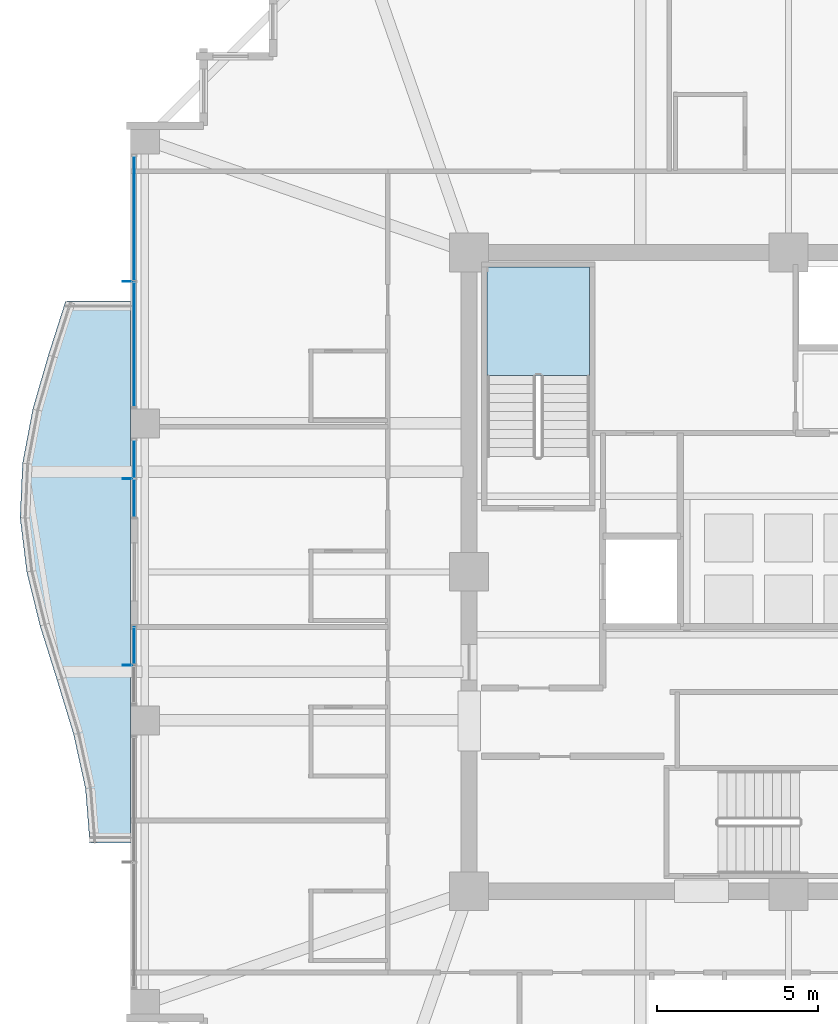
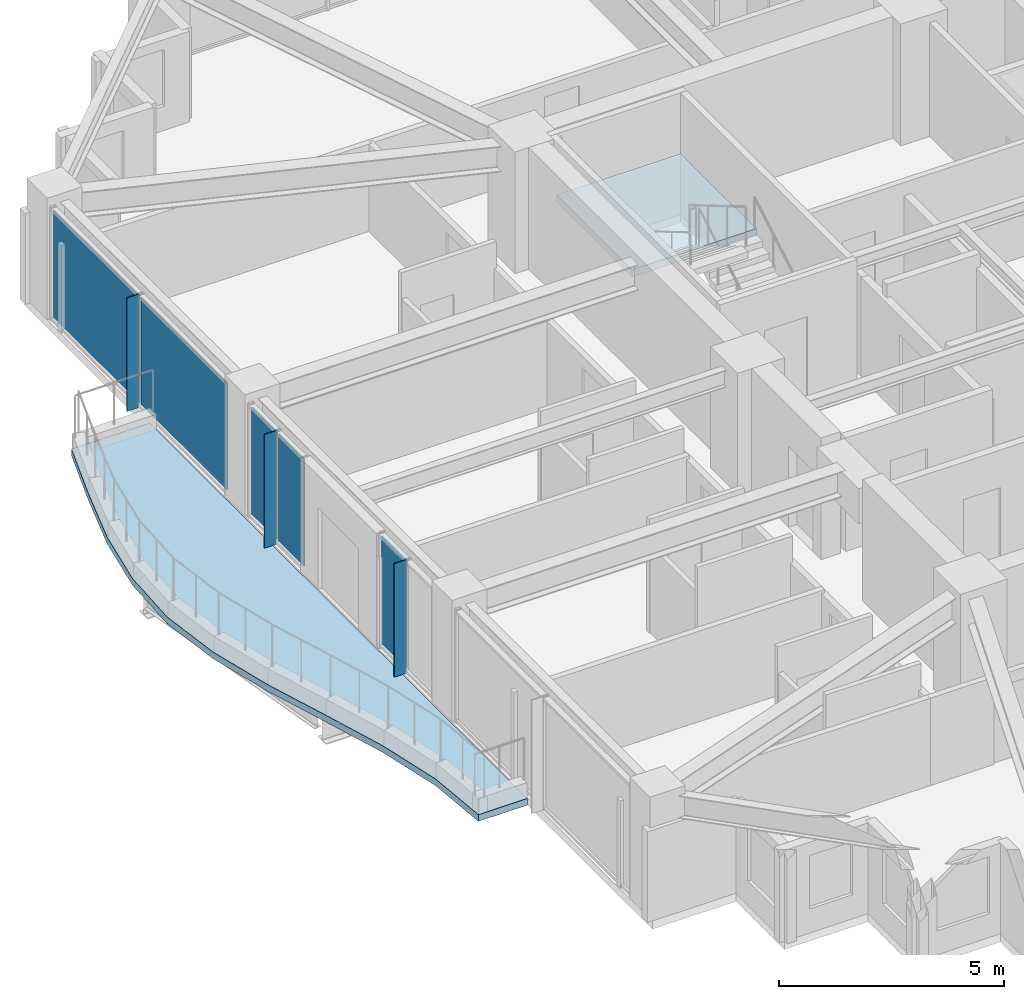
# One storey, part 23 of 34: 8 plates, 2 slabs, 4 elements without a shape of their own.
"""IFC4 building model written with IfcOpenShell, lengths in metres."""

import ifcopenshell
import ifcopenshell.guid

model = None  # the IFC model being written
_history = None  # IfcOwnerHistory: only IFC2X3 demands one
_inside = {}  # id of a spatial element -> (the spatial element, [elements in it])
_under = {}  # id of a project, library or spatial element -> (it, [spatial elements below it])
_declared = {}  # id of a project -> (the project, [libraries it declares])
_typed = {}  # id of a type object -> (the type object, [elements of that type])
_made_of = {}  # id of a material, layer set ... -> (it, [elements and type objects made of it])


def new_model(schema):
    """Start an empty IFC model of exactly this schema.

    Asked for "IFC4X3", IfcOpenShell would pick the latest addendum, in which some entities
    have other attributes; the version numbers below select the first issue.
    IFC2X3 requires an IfcOwnerHistory on every rooted entity: one is made here for all.
    """
    global model, _history
    if schema == "IFC4X3":
        model = ifcopenshell.file(schema_version=(4, 3, 0, 0))
    else:
        model = ifcopenshell.file(schema=schema)
    _inside.clear()
    _under.clear()
    _declared.clear()
    _typed.clear()
    _made_of.clear()
    _history = None
    if model.schema == "IFC2X3":
        org = make("IfcOrganization", Name="unknown")
        user = make(
            "IfcPersonAndOrganization",
            ThePerson=make("IfcPerson", FamilyName="unknown"),
            TheOrganization=org,
        )
        app = make(
            "IfcApplication",
            ApplicationDeveloper=org,
            Version="unknown",
            ApplicationFullName="unknown",
            ApplicationIdentifier="unknown",
        )
        _history = make(
            "IfcOwnerHistory",
            OwningUser=user,
            OwningApplication=app,
            ChangeAction="ADDED",
            CreationDate=0,
        )
    return model


def make(cls, **values):
    """One entity of the class cls with the attributes given. An attribute that is None is left unset."""
    return model.create_entity(
        cls, **{name: value for name, value in values.items() if value is not None}
    )


def rooted(cls, **values):
    """An entity with a GlobalId (a new one), such as an element, a storey or a relation."""
    return make(cls, GlobalId=ifcopenshell.guid.new(), OwnerHistory=_history, **values)


def si_unit(unit_type, name, prefix=None):
    """IfcSIUnit, for example si_unit("LENGTHUNIT", "METRE", prefix="MILLI")."""
    return make("IfcSIUnit", UnitType=unit_type, Prefix=prefix, Name=name)


def assignment(units):
    """IfcUnitAssignment: the units of a project."""
    return None if units is None else make("IfcUnitAssignment", Units=units)


def point(xyz):
    """IfcCartesianPoint."""
    return None if xyz is None else make("IfcCartesianPoint", Coordinates=xyz)


def direction(xyz):
    """IfcDirection."""
    return None if xyz is None else make("IfcDirection", DirectionRatios=xyz)


def frame(location, z_axis=None, x_axis=None):
    """IfcAxis2Placement3D, a coordinate frame: its origin and axes. An axis left out is left unset."""
    return make(
        "IfcAxis2Placement3D",
        Location=point(location),
        Axis=direction(z_axis),
        RefDirection=direction(x_axis),
    )


def frame_2d(location, x_axis=None):
    """IfcAxis2Placement2D, a coordinate frame in the plane: its origin and x axis."""
    return make(
        "IfcAxis2Placement2D", Location=point(location), RefDirection=direction(x_axis)
    )


def origin():
    """The frame at (0, 0, 0) with its axes left unset."""
    return frame((0.0, 0.0, 0.0))


def origin_2d():
    """The frame at (0, 0) in the plane with its x axis left unset."""
    return frame_2d((0.0, 0.0))


def place(relative_to, where):
    """IfcLocalPlacement: puts the frame where relative to a parent placement (None: the world)."""
    return make(
        "IfcLocalPlacement", PlacementRelTo=relative_to, RelativePlacement=where
    )


def context(
    kind, dimensions, precision=None, world=None, true_north=None, identifier=None
):
    """IfcGeometricRepresentationContext, for example the 3D "Model" context."""
    return make(
        "IfcGeometricRepresentationContext",
        ContextIdentifier=identifier,
        ContextType=kind,
        CoordinateSpaceDimension=dimensions,
        Precision=precision,
        WorldCoordinateSystem=world,
        TrueNorth=true_north,
    )


def subcontext(parent, identifier, kind, view, scale=None):
    """IfcGeometricRepresentationSubContext, for example "Body" below "Model"."""
    return make(
        "IfcGeometricRepresentationSubContext",
        ContextIdentifier=identifier,
        ContextType=kind,
        ParentContext=parent,
        TargetScale=scale,
        TargetView=view,
    )


def project(units=None, contexts=None):
    """IfcProject with its units and contexts."""
    return rooted(
        "IfcProject",
        Name="project",
        RepresentationContexts=contexts,
        UnitsInContext=assignment(units),
    )


def spatial(cls, under=None, at=None, **own):
    """A site, building, storey or space (cls), placed at a placement, below another one or the project."""
    s = rooted(cls, ObjectPlacement=at, **own)
    if under is not None:
        _under.setdefault(under.id(), (under, []))[1].append(s)
    return s


def polyline(points):
    """IfcPolyline through the points."""
    return make("IfcPolyline", Points=[point(p) for p in points])


def profile(cls, at=None, kind="AREA", **sizes):
    """A parametric profile (cls). Its sizes go by their IFC names, for example OverallWidth=200.0."""
    return make(cls, ProfileType=kind, Position=at, **sizes)


def rectangle(**sizes):
    """IfcRectangleProfileDef."""
    return profile("IfcRectangleProfileDef", **sizes)


def outline(outer, holes=None, kind="AREA"):
    """IfcArbitraryClosedProfileDef: a profile drawn as a closed curve; with holes, ...WithVoids."""
    if holes is None:
        return make("IfcArbitraryClosedProfileDef", ProfileType=kind, OuterCurve=outer)
    return make(
        "IfcArbitraryProfileDefWithVoids",
        ProfileType=kind,
        OuterCurve=outer,
        InnerCurves=holes,
    )


def extrude(swept, where, along, depth):
    """IfcExtrudedAreaSolid: the profile swept, set in the frame where, extruded along a direction by depth."""
    return make(
        "IfcExtrudedAreaSolid",
        SweptArea=swept,
        Position=where,
        ExtrudedDirection=direction(along),
        Depth=depth,
    )


def shape(context_of_items, identifier, shape_type, items):
    """IfcShapeRepresentation: the items that make up one representation, for example the "Body"."""
    return make(
        "IfcShapeRepresentation",
        ContextOfItems=context_of_items,
        RepresentationIdentifier=identifier,
        RepresentationType=shape_type,
        Items=items,
    )


def material(Name=None, Category=None):
    """IfcMaterial."""
    return make("IfcMaterial", Name=Name, Category=Category)


def layer(
    of_material, thickness, ventilated=None, Name=None, Category=None, Priority=None
):
    """IfcMaterialLayer: one layer of a wall or slab, of a material (None: an air gap)."""
    return make(
        "IfcMaterialLayer",
        Material=of_material,
        LayerThickness=thickness,
        IsVentilated=ventilated,
        Name=Name,
        Category=Category,
        Priority=Priority,
    )


def layer_set(layers, Name=None):
    """IfcMaterialLayerSet."""
    return make("IfcMaterialLayerSet", MaterialLayers=layers, LayerSetName=Name)


def made_of(thing, what):
    """Note that an element or type object is made of a material, layer set ...; save() writes the relation."""
    if what is not None:
        _made_of.setdefault(what.id(), (what, []))[1].append(thing)
    return thing


def type_object(cls, material=None, **own):
    """A type object (cls), such as IfcWallType, which elements share."""
    return made_of(rooted(cls, **own), material)


def element(
    cls,
    number,
    at=None,
    inside=None,
    cuts=None,
    type_object=None,
    material=None,
    context=None,
    identifier="Body",
    shape_type=None,
    held_by="IfcProductDefinitionShape",
    body=None,
    shapes=None,
    **own,
):
    """One element of the class cls, such as IfcWall. Its Tag is "e" and its number.

    at: its placement. inside: the storey or other place that contains it. cuts: it is an
    opening in that element (IfcRelVoidsElement). A single representation is given by context,
    identifier, shape_type and body (its items); several are given by shapes. held_by: the class
    of the entity that holds the representations. save() writes the other relations.
    """
    e = rooted(cls, Tag="e%d" % number, ObjectPlacement=at, **own)
    if body is not None:
        shapes = [shape(context, identifier, shape_type, body)]
    if shapes is not None:
        e.Representation = make(held_by, Representations=shapes)
    if inside is not None:
        _inside.setdefault(inside.id(), (inside, []))[1].append(e)
    if cuts is not None:
        rooted(
            "IfcRelVoidsElement", RelatingBuildingElement=cuts, RelatedOpeningElement=e
        )
    if type_object is not None:
        _typed.setdefault(type_object.id(), (type_object, []))[1].append(e)
    return made_of(e, material)


def aggregate(whole, parts):
    """IfcRelAggregates: a whole, such as a stair, and the parts it consists of."""
    return rooted("IfcRelAggregates", RelatingObject=whole, RelatedObjects=parts)


def save(model, path):
    """Write the relations noted so far, then the file.

    IfcRelAggregates (storeys below a building ...), IfcRelContainedInSpatialStructure (elements
    in a storey), IfcRelDefinesByType, IfcRelAssociatesMaterial and IfcRelDeclares: one each for
    every whole, place, type object, material and project.
    """
    for whole, parts in _under.values():
        aggregate(whole, parts)
    for where, things in _inside.values():
        rooted(
            "IfcRelContainedInSpatialStructure",
            RelatedElements=things,
            RelatingStructure=where,
        )
    for kind, things in _typed.values():
        rooted("IfcRelDefinesByType", RelatedObjects=things, RelatingType=kind)
    for what, things in _made_of.values():
        rooted("IfcRelAssociatesMaterial", RelatedObjects=things, RelatingMaterial=what)
    for by, libraries in _declared.values():
        rooted("IfcRelDeclares", RelatingContext=by, RelatedDefinitions=libraries)
    model.write(path)


model = new_model("IFC4")

# Units and contexts
model_context = context("Model", 3, precision=1e-05, world=origin(), true_north=direction((0.0, 1.0)))
body_context = subcontext(model_context, "Body", "Model", "MODEL_VIEW")
ifc_project = project(units=[si_unit("LENGTHUNIT", "METRE"), si_unit("AREAUNIT", "SQUARE_METRE"), si_unit("VOLUMEUNIT", "CUBIC_METRE"), si_unit("PLANEANGLEUNIT", "RADIAN"), si_unit("MASSUNIT", "GRAM", prefix="KILO")], contexts=[model_context])

# Site, building, storey
site_placement = place(None, origin())
site = spatial("IfcSite", under=ifc_project, at=site_placement, CompositionType="ELEMENT")
building_placement = place(site_placement, origin())
building = spatial("IfcBuilding", under=site, at=building_placement, Name="Kolvaren Belvedere", CompositionType="ELEMENT")
storey_placement = place(building_placement, frame((0.0, 0.0, 189.89990234375)))
storey = spatial("IfcBuildingStorey", under=building, at=storey_placement, Name="L55", CompositionType="ELEMENT", Elevation=189.89990234375)

# Curtain wall, plate
ifc_material_1 = material(Name="Anodised pale-metal aluminium AA 6063-T6", Category="aluminium")
curtain_wall_type = type_object("IfcCurtainWallType", Name="CW-Z5-HIGH", PredefinedType="NOTDEFINED", material=ifc_material_1)
curtain_wall_1_placement = place(storey_placement, origin())
curtain_wall_1 = element("IfcCurtainWall", 1, at=curtain_wall_1_placement, inside=storey, type_object=curtain_wall_type, Name="L55 Unitised Curtain Wall FCW-L55-W1-B2", PredefinedType="NOTDEFINED")
ifc_material_2 = material(Name="Low-iron triple insulated glass", Category="glass")
ifc_layer_1 = layer(ifc_material_2, 0.028076171875)
ifc_layer_set_1 = layer_set([ifc_layer_1], Name="Low-iron triple insulated glass")
plate_type_1 = type_object("IfcPlateType", Name="CW-PNL-VIS28", PredefinedType="CURTAIN_PANEL", material=ifc_layer_set_1)
plate_1_placement = place(storey_placement, frame((-20.280029296875, -2.28369140625, 0.080078125), z_axis=(0.0, 0.0, 1.0), x_axis=(0.0, 1.0, 0.0)))
plate_1 = element("IfcPlate", 2, at=plate_1_placement, type_object=plate_type_1, Name="FCW-L55-W1-B2 Vision Glazing Panel 2", PredefinedType="CURTAIN_PANEL", context=body_context, shape_type="SweptSolid", body=[
    extrude(rectangle(XDim=1.12744140625, YDim=0.028076171875, at=origin_2d()), origin(), (0.0, 0.0, 1.0), 2.919921875),
])
aggregate(curtain_wall_1, [plate_1])

# Curtain wall, plates
curtain_wall_2_placement = place(storey_placement, origin())
curtain_wall_2 = element("IfcCurtainWall", 3, at=curtain_wall_2_placement, inside=storey, type_object=curtain_wall_type, Name="L55 Unitised Curtain Wall FCW-L55-W2-B1", PredefinedType="NOTDEFINED")
plate_2_placement = place(storey_placement, frame((-20.280029296875, 2.28369140625, 0.080078125), z_axis=(0.0, 0.0, 1.0), x_axis=(0.0, 1.0, 0.0)))
plate_2 = element("IfcPlate", 4, at=plate_2_placement, type_object=plate_type_1, Name="FCW-L55-W2-B1 Vision Glazing Panel 1", PredefinedType="CURTAIN_PANEL", context=body_context, shape_type="SweptSolid", body=[
    extrude(rectangle(XDim=1.12744140625, YDim=0.028076171875, at=origin_2d()), origin(), (0.0, 0.0, 1.0), 2.919921875),
])
plate_3_placement = place(storey_placement, frame((-20.280029296875, 3.4912109375, 0.080078125), z_axis=(0.0, 0.0, 1.0), x_axis=(0.0, 1.0, 0.0)))
plate_3 = element("IfcPlate", 5, at=plate_3_placement, type_object=plate_type_1, Name="FCW-L55-W2-B1 Vision Glazing Panel 2", PredefinedType="CURTAIN_PANEL", context=body_context, shape_type="SweptSolid", body=[
    extrude(rectangle(XDim=1.12744140625, YDim=0.028076171875, at=origin_2d()), origin(), (0.0, 0.0, 1.0), 2.919921875),
])
aggregate(curtain_wall_2, [plate_2, plate_3])

curtain_wall_3_placement = place(storey_placement, origin())
curtain_wall_3 = element("IfcCurtainWall", 6, at=curtain_wall_3_placement, inside=storey, type_object=curtain_wall_type, Name="L55 Unitised Curtain Wall FCW-L55-W2-B2", PredefinedType="NOTDEFINED")
plate_4_placement = place(storey_placement, frame((-20.280029296875, 7.052490234375, 0.080078125), z_axis=(0.0, 0.0, 1.0), x_axis=(0.0, 1.0, 0.0)))
plate_4 = element("IfcPlate", 7, at=plate_4_placement, type_object=plate_type_1, Name="FCW-L55-W2-B2 Vision Glazing Panel 1", PredefinedType="CURTAIN_PANEL", context=body_context, shape_type="SweptSolid", body=[
    extrude(rectangle(XDim=3.81494140625, YDim=0.028076171875, at=origin_2d()), origin(), (0.0, 0.0, 1.0), 2.919921875),
])
plate_5_placement = place(storey_placement, frame((-20.280029296875, 10.947509765625, 0.080078125), z_axis=(0.0, 0.0, 1.0), x_axis=(0.0, 1.0, 0.0)))
plate_5 = element("IfcPlate", 8, at=plate_5_placement, type_object=plate_type_1, Name="FCW-L55-W2-B2 Vision Glazing Panel 2", PredefinedType="CURTAIN_PANEL", context=body_context, shape_type="SweptSolid", body=[
    extrude(rectangle(XDim=3.81494140625, YDim=0.028076171875, at=origin_2d()), origin(), (0.0, 0.0, 1.0), 2.919921875),
])
aggregate(curtain_wall_3, [plate_4, plate_5])

# Plates
ifc_material_3 = material(Name="Anodised pale-metal aluminium AA 6063-T6", Category="aluminium")
ifc_layer_2 = layer(ifc_material_3, 0.030029296875)
ifc_layer_set_2 = layer_set([ifc_layer_2], Name="Anodised pale-metal aluminium AA 6063-T6")
plate_type_2 = type_object("IfcPlateType", Name="FIN-VERT-300", PredefinedType="USERDEFINED", material=ifc_layer_set_2)
for number, where, z_axis, x_axis, name in (
    (9, (-20.489990234375, -2.887451171875, 0.0), (0.0, 0.0, 1.0), (1.0, 0.0, 0.0), "L55 Pale-Metal Vertical Shading Fin FCW-L55-W1-B2-1"),
    (10, (-20.489990234375, 2.887451171875, 0.0), (0.0, 0.0, 1.0), (1.0, 0.0, 0.0), "L55 Pale-Metal Vertical Shading Fin FCW-L55-W2-B1-1"),
    (11, (-20.489990234375, 9.0, 0.0), (0.0, 0.0, 1.0), (1.0, 0.0, 0.0), "L55 Pale-Metal Vertical Shading Fin FCW-L55-W2-B2-1"),
):
    element("IfcPlate", number, at=place(storey_placement, frame(where, z_axis=z_axis, x_axis=x_axis)), inside=storey, type_object=plate_type_2, Name=name, ObjectType="VERTICAL FIN", PredefinedType="USERDEFINED", context=body_context, shape_type="SweptSolid", body=[
        extrude(rectangle(XDim=0.300048828125, YDim=0.030029296875, at=origin_2d()), origin(), (0.0, 0.0, 1.0), 3.080078125),
    ])

# Slab
ifc_material_4 = material(Name="Concrete C50/60", Category="concrete")
ifc_layer_3 = layer(ifc_material_4, 0.179931640625)
ifc_layer_set_3 = layer_set([ifc_layer_3], Name="Concrete C50/60")
slab_type_1 = type_object("IfcSlabType", Name="SL-BAL-180", PredefinedType="FLOOR", material=ifc_layer_set_3)
slab_1_placement = place(storey_placement, frame((0.0, 0.0, -0.219970703125)))
element("IfcSlab", 12, at=slab_1_placement, inside=storey, type_object=slab_type_1, Name="L55 Planted Balcony BAL-W", PredefinedType="FLOOR", context=body_context, shape_type="SweptSolid", body=[
    extrude(outline(polyline([(-22.40625, 8.39990234375), (-22.9423828125, 6.719970703125), (-23.428466796875, 5.0400390625), (-23.744140625, 3.360107421875), (-23.820068359375, 1.679931640625), (-23.61376953125, 0.0), (-23.19970703125, -1.679931640625), (-22.672119140625, -3.360107421875), (-22.161376953125, -5.0400390625), (-21.793701171875, -6.719970703125), (-21.659912109375, -8.39990234375), (-20.39990234375, -8.39990234375), (-20.39990234375, -6.719970703125), (-20.39990234375, -5.0400390625), (-20.39990234375, -3.360107421875), (-20.39990234375, -1.679931640625), (-20.39990234375, 0.0), (-20.39990234375, 1.679931640625), (-20.39990234375, 3.360107421875), (-20.39990234375, 5.0400390625), (-20.39990234375, 6.719970703125), (-20.39990234375, 8.39990234375), (-22.40625, 8.39990234375)])), origin(), (0.0, 0.0, 1.0), 0.18017578125),
])

# Stair, slab
ifc_material_5 = material(Name="Concrete C50/60", Category="concrete")
stair_type = type_object("IfcStairType", Name="ST-CORE-1520", PredefinedType="HALF_TURN_STAIR", material=ifc_material_5)
stair_placement = place(storey_placement, origin())
stair = element("IfcStair", 13, at=stair_placement, inside=storey, type_object=stair_type, Name="L55 Protected Exit Stair ST-1", PredefinedType="HALF_TURN_STAIR")
ifc_material_6 = material(Name="Concrete C50/60", Category="concrete")
ifc_layer_4 = layer(ifc_material_6, 0.260009765625)
ifc_layer_set_4 = layer_set([ifc_layer_4], Name="Concrete C50/60")
slab_type_2 = type_object("IfcSlabType", Name="SL-LAND-260", PredefinedType="LANDING", material=ifc_layer_set_4)
slab_2_placement = place(storey_placement, frame((0.0, 0.0, 1.4501953125)))
slab_2 = element("IfcSlab", 14, at=slab_2_placement, type_object=slab_type_2, Name="ST-1 landing 1", PredefinedType="LANDING", context=body_context, shape_type="SweptSolid", body=[
    extrude(outline(polyline([(-6.159912109375, 6.090087890625), (-6.159912109375, 9.449951171875), (-9.35009765625, 9.449951171875), (-9.35009765625, 6.090087890625), (-6.159912109375, 6.090087890625)])), origin(), (0.0, 0.0, 1.0), 0.199951171875),
])
aggregate(stair, [slab_2])

save(model, "model.ifc")
